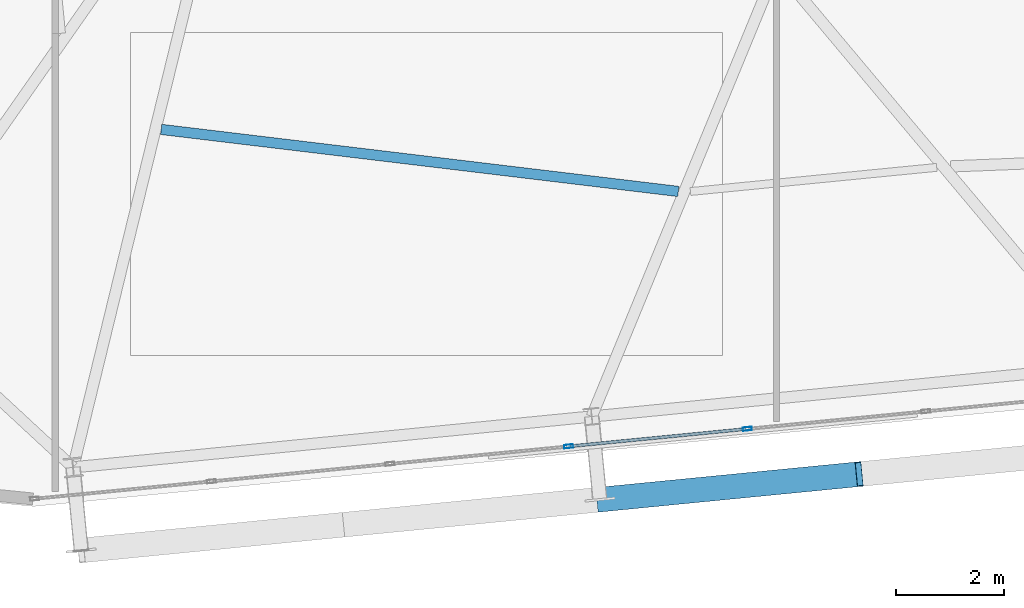
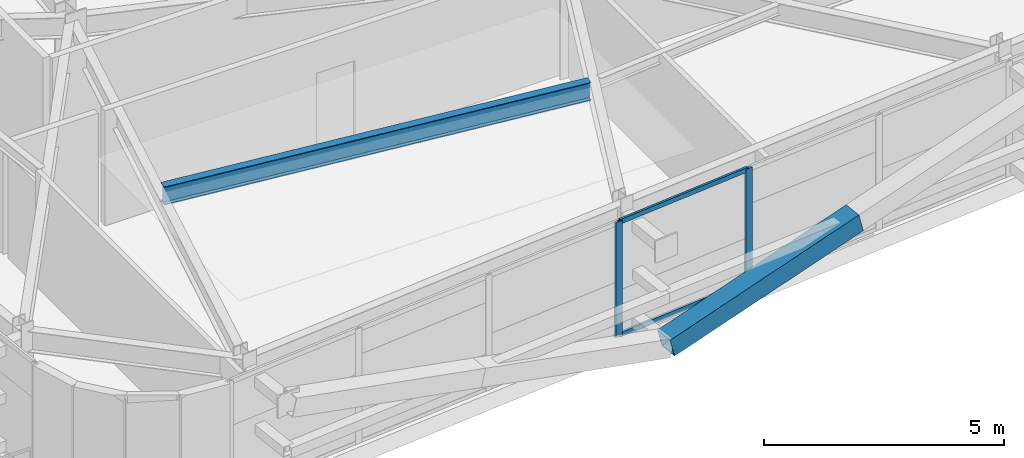
# One storey, part 10 of 51: 5 members, 1 beam, 1 element without a shape of its own.
"""IFC4 building model written with IfcOpenShell, lengths in metres."""

from ifc_helpers import new_model, si_unit, direction, frame, origin, origin_2d, place, context, subcontext, project, spatial, hollow_rectangle, i_section, extrude, source, transform, mapped, material, layer, layer_set, material_profile, profile_set, type_object, element, aggregate, save


model = new_model("IFC4")

# Units and contexts
model_context = context("Model", 3, precision=1e-05, world=origin(), true_north=direction((0.0, 1.0)))
body_context = subcontext(model_context, "Body", "Model", "MODEL_VIEW")
ifc_project = project(units=[si_unit("LENGTHUNIT", "METRE"), si_unit("AREAUNIT", "SQUARE_METRE"), si_unit("VOLUMEUNIT", "CUBIC_METRE"), si_unit("PLANEANGLEUNIT", "RADIAN"), si_unit("MASSUNIT", "GRAM", prefix="KILO")], contexts=[model_context])

# Site, building, storey
site_placement = place(None, origin())
site = spatial("IfcSite", under=ifc_project, at=site_placement, CompositionType="ELEMENT")
building_placement = place(site_placement, origin())
building = spatial("IfcBuilding", under=site, at=building_placement, Name="Taldren Reach Tower", CompositionType="ELEMENT")
storey_placement = place(building_placement, frame((0.0, 0.0, 65.10009765625)))
storey = spatial("IfcBuildingStorey", under=building, at=storey_placement, Name="L19", CompositionType="ELEMENT", Elevation=65.10009765625)

# Beam
ifc_material_1 = material(Name="Steel Gr 350 (350PLUS)", Category="steel")
ifc_material_profile_1 = material_profile(ifc_material_1, i_section(OverallWidth=0.19091796875, OverallDepth=0.4599609375, WebThickness=0.010009765625, FlangeThickness=0.01611328125, at=origin_2d()), Name="460UB82.1")
ifc_profile_set_1 = profile_set([ifc_material_profile_1], Name="Steel Gr 350 (350PLUS)")
beam_type = type_object("IfcBeamType", Name="BM-UB460A", PredefinedType="BEAM", material=ifc_profile_set_1)
shared_shape_1 = source(origin(), body_context, "Body", "SweptSolid", [
    extrude(i_section(OverallWidth=0.19091796875, OverallDepth=0.4599609375, WebThickness=0.010009765625, FlangeThickness=0.01611328125, at=origin_2d()), origin(), (0.0, 0.0, 1.0), 9.673583984375),
])
beam_placement = place(storey_placement, frame((16.571533203125, 6.197509765625, 2.699951171875), z_axis=(0.992879584922, -0.119122331431, 0.0), x_axis=(0.119122331431, 0.992879584922, 0.0)))
element("IfcBeam", 1, at=beam_placement, inside=storey, type_object=beam_type, Name="Secondary floor beam B2 J1 L19", PredefinedType="BEAM", context=body_context, shape_type="MappedRepresentation", body=[
    mapped(shared_shape_1, transform((0.0, 0.0, 0.0), scale=1.0)),
])

# Member
ifc_material_2 = material(Name="Steel Gr 450 (C450L0)", Category="steel")
ifc_material_profile_2 = material_profile(ifc_material_2, hollow_rectangle(XDim=0.4599609375, YDim=0.4599609375, WallThickness=0.01611328125, at=origin_2d()), Name="460x460x16.0SHS")
ifc_profile_set_2 = profile_set([ifc_material_profile_2], Name="Steel Gr 450 (C450L0)")
member_type_1 = type_object("IfcMemberType", Name="MB-EXO457", PredefinedType="BRACE", material=ifc_profile_set_2)
shared_shape_2 = source(origin(), body_context, "Body", "SweptSolid", [
    extrude(hollow_rectangle(XDim=0.4599609375, YDim=0.4599609375, WallThickness=0.01611328125, at=origin_2d()), origin(), (0.0, 0.0, 1.0), 4.990234375),
])
member_1_placement = place(storey_placement, frame((24.71923828125, -0.677978515625, 0.219970703125), z_axis=(0.965282554799, 0.094669120301, 0.243448859234), x_axis=(-0.097605711627, 0.995225162995, 0.0)))
element("IfcMember", 2, at=member_1_placement, inside=storey, type_object=member_type_1, Name="Exoskeleton Diagrid Brace B2-S2 L19", PredefinedType="BRACE", context=body_context, shape_type="MappedRepresentation", body=[
    mapped(shared_shape_2, transform((0.0, 0.0, 0.0), scale=1.0)),
])

# Curtain wall, members
ifc_material_3 = material(Name="Aluminium and Low-E Glass Unitised System", Category="aluminium")
ifc_layer = layer(ifc_material_3, 0.159912109375)
ifc_layer_set = layer_set([ifc_layer], Name="Aluminium and Low-E Glass Unitised System")
curtain_wall_type = type_object("IfcCurtainWallType", Name="CW-SYS-3", PredefinedType="NOTDEFINED", material=ifc_layer_set)
curtain_wall_placement = place(storey_placement, origin())
curtain_wall = element("IfcCurtainWall", 3, at=curtain_wall_placement, inside=storey, type_object=curtain_wall_type, Name="Unitised curtain wall CW-L19-S", PredefinedType="NOTDEFINED")
ifc_material_4 = material(Name="Anodised Aluminium 6063-T6", Category="aluminium")
ifc_material_profile_3 = material_profile(ifc_material_4, hollow_rectangle(XDim=0.06494140625, YDim=0.1650390625, WallThickness=0.00390625, at=origin_2d()), Name="ALU-165x65x4RHS")
ifc_profile_set_3 = profile_set([ifc_material_profile_3], Name="Anodised Aluminium 6063-T6")
member_type_2 = type_object("IfcMemberType", Name="CW-MUL-165", PredefinedType="MULLION", material=ifc_profile_set_3)
shared_shape_3 = source(origin(), body_context, "Body", "SweptSolid", [
    extrude(hollow_rectangle(XDim=0.06494140625, YDim=0.1650390625, WallThickness=0.00390625, at=origin_2d()), origin(), (0.0, 0.0, 1.0), 2.929931640625),
])
member_2_placement = place(storey_placement, frame((24.14013671875, 0.310302734375, 0.0), z_axis=(0.0, 0.0, 1.0), x_axis=(-0.097582999046, 0.995227390247, 0.0)))
member_2 = element("IfcMember", 4, at=member_2_placement, type_object=member_type_2, Name="CW-3 mullion 4", PredefinedType="MULLION", context=body_context, shape_type="MappedRepresentation", body=[
    mapped(shared_shape_3, transform((0.0, 0.0, 0.0), scale=1.0)),
])
member_3_placement = place(storey_placement, frame((27.45751953125, 0.635498046875, 0.0), z_axis=(0.0, 0.0, 1.0), x_axis=(-0.097582999046, 0.995227390247, 0.0)))
member_3 = element("IfcMember", 5, at=member_3_placement, type_object=member_type_2, Name="CW-3 mullion 5", PredefinedType="MULLION", context=body_context, shape_type="MappedRepresentation", body=[
    mapped(shared_shape_3, transform((0.0, 0.0, 0.0), scale=1.0)),
])
ifc_material_profile_4 = material_profile(ifc_material_4, hollow_rectangle(XDim=0.054931640625, YDim=0.1201171875, WallThickness=0.0029296875, at=origin_2d()), Name="ALU-120x55x3RHS")
ifc_profile_set_4 = profile_set([ifc_material_profile_4], Name="Anodised Aluminium 6063-T6")
member_type_3 = type_object("IfcMemberType", Name="CW-TRN-135", PredefinedType="USERDEFINED", material=ifc_profile_set_4)
shared_shape_4 = source(origin(), body_context, "Body", "SweptSolid", [
    extrude(hollow_rectangle(XDim=0.054931640625, YDim=0.1201171875, WallThickness=0.0029296875, at=origin_2d()), origin(), (0.0, 0.0, 1.0), 3.268310546875),
])
member_4_placement = place(storey_placement, frame((24.17236328125, 0.3134765625, 0.02734375), z_axis=(0.99522980512, 0.097558367146, 0.0), x_axis=(-0.097558367146, 0.99522980512, 0.0)))
member_4 = element("IfcMember", 6, at=member_4_placement, type_object=member_type_3, Name="CW-3 transom 4.1", ObjectType="TRANSOM", PredefinedType="USERDEFINED", context=body_context, shape_type="MappedRepresentation", body=[
    mapped(shared_shape_4, transform((0.0, 0.0, 0.0), scale=1.0)),
])
member_5_placement = place(storey_placement, frame((24.17236328125, 0.3134765625, 2.90234375), z_axis=(0.99522980512, 0.097558367146, 0.0), x_axis=(-0.097558367146, 0.99522980512, 0.0)))
member_5 = element("IfcMember", 7, at=member_5_placement, type_object=member_type_3, Name="CW-3 transom 4.2", ObjectType="TRANSOM", PredefinedType="USERDEFINED", context=body_context, shape_type="MappedRepresentation", body=[
    mapped(shared_shape_4, transform((0.0, 0.0, 0.0), scale=1.0)),
])
aggregate(curtain_wall, [member_2, member_3, member_4, member_5])

save(model, "model.ifc")
